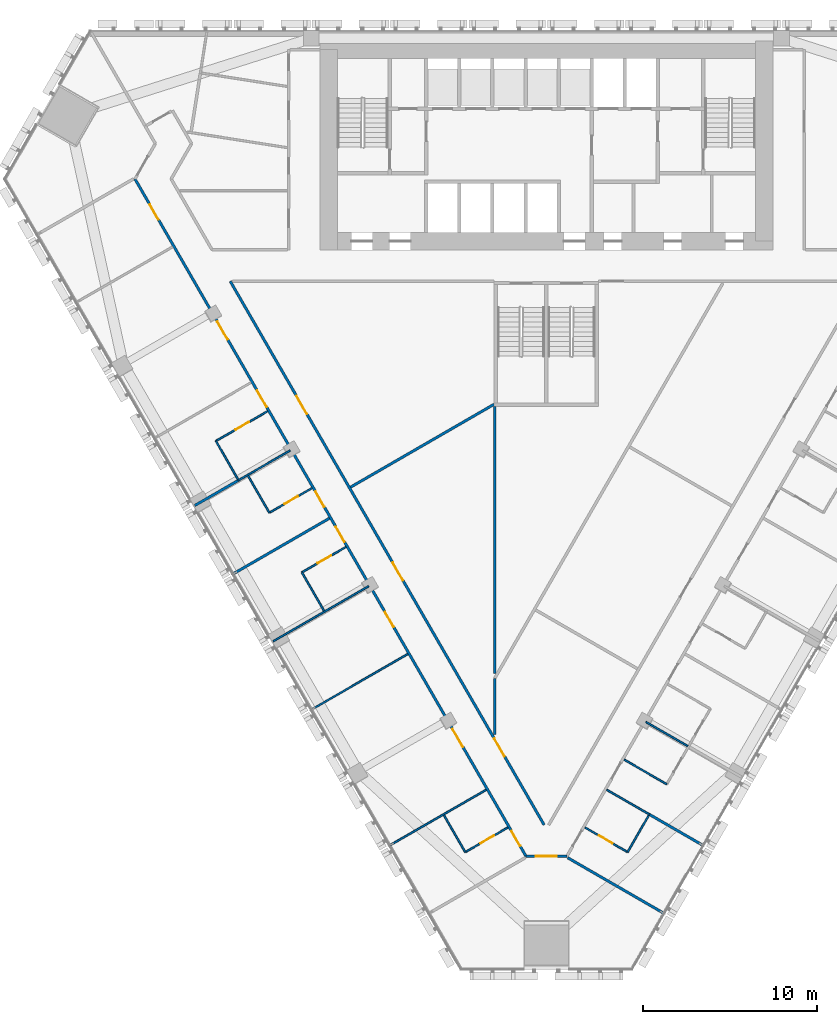
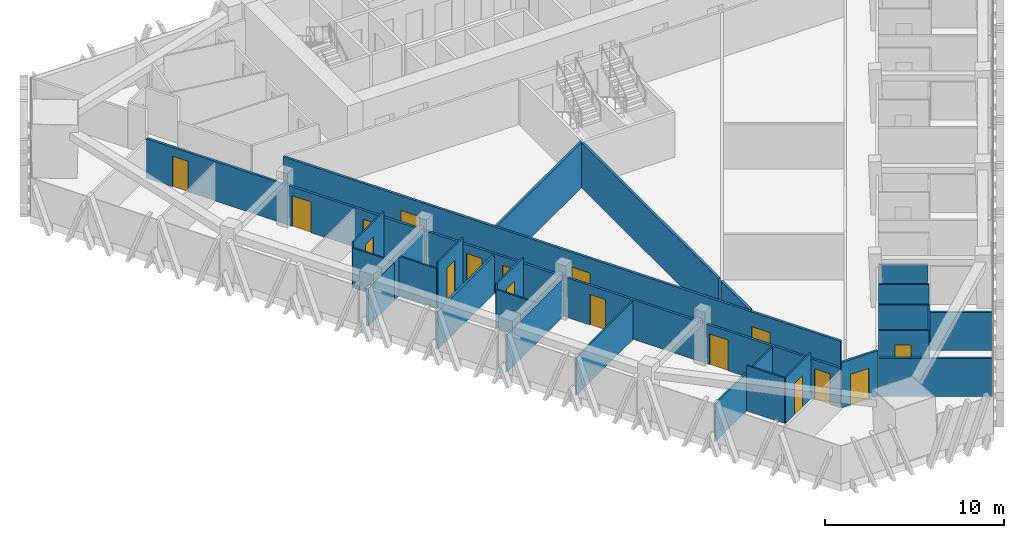
# One storey, part 10 of 18: 27 walls, 17 doors, 17 openings.
"""IFC4 building model written with IfcOpenShell, lengths in metres."""

from ifc_helpers import new_model, si_unit, direction, frame, frame_2d, origin, place, context, subcontext, project, spatial, rectangle, extrude, material, layer, layer_set, type_object, element, fill, save


model = new_model("IFC4")

# Units and contexts
model_context = context("Model", 3, precision=1e-05, world=origin(), true_north=direction((0.0, 1.0)))
body_context = subcontext(model_context, "Body", "Model", "MODEL_VIEW")
ifc_project = project(units=[si_unit("LENGTHUNIT", "METRE"), si_unit("AREAUNIT", "SQUARE_METRE"), si_unit("VOLUMEUNIT", "CUBIC_METRE"), si_unit("PLANEANGLEUNIT", "RADIAN"), si_unit("MASSUNIT", "GRAM", prefix="KILO")], contexts=[model_context])

# Site, building, storey
site_placement = place(None, origin())
site = spatial("IfcSite", under=ifc_project, at=site_placement, CompositionType="ELEMENT")
building_placement = place(site_placement, origin())
building = spatial("IfcBuilding", under=site, at=building_placement, Name="Altiplano Prism Tower", CompositionType="ELEMENT")
storey_placement = place(building_placement, frame((0.0, 0.0, 34.199951171875)))
storey = spatial("IfcBuildingStorey", under=building, at=storey_placement, Name="L07", CompositionType="ELEMENT", Elevation=34.199951171875)

# Wall
ifc_material_1 = material(Name="Plasterboard on steel stud", Category="steel")
ifc_layer_1 = layer(ifc_material_1, 0.10009765625)
ifc_layer_set_1 = layer_set([ifc_layer_1], Name="Plasterboard on steel stud")
wall_type_1 = type_object("IfcWallType", Name="Partition 100 unit", PredefinedType="PARTITIONING", material=ifc_layer_set_1)
wall_1_placement = place(storey_placement, frame((67.283935546875, 79.2392578125, 0.0), z_axis=(0.0, 0.0, 1.0), x_axis=(-0.50001820224, 0.866014894461, 0.0)))
element("IfcWall", 1, at=wall_1_placement, inside=storey, type_object=wall_type_1, Name="Partition P02 L07 038", PredefinedType="PARTITIONING", context=body_context, shape_type="SweptSolid", body=[
    extrude(rectangle(XDim=2.52490234375, YDim=0.10009765625, at=frame_2d((1.262451171875, 0.0))), origin(), (0.0, 0.0, 1.0), 2.699951171875),
])

# Wall, opening, door
wall_2_placement = place(storey_placement, frame((66.021484375, 81.42578125, 0.0), z_axis=(0.0, 0.0, 1.0), x_axis=(0.866001587311, 0.500041249073, 0.0)))
wall_2 = element("IfcWall", 2, at=wall_2_placement, inside=storey, type_object=wall_type_1, Name="Partition P02 L07 039", PredefinedType="PARTITIONING", context=body_context, shape_type="SweptSolid", body=[
    extrude(rectangle(XDim=3.425048828125, YDim=0.10009765625, at=frame_2d((1.71240234375, 0.0))), origin(), (0.0, 0.0, 1.0), 3.10009765625),
])
opening_1_placement = place(wall_2_placement, frame((1.300048828125, 0.0, 0.0)))
opening_1 = element("IfcOpeningElement", 3, at=opening_1_placement, cuts=wall_2, Name="Opening D0236", PredefinedType="OPENING", context=body_context, shape_type="SweptSolid", body=[
    extrude(rectangle(XDim=0.89990234375, YDim=2.10009765625, at=frame_2d((0.449951171875, 1.050048828125))), frame((0.0, 0.060546875, 0.0), z_axis=(0.0, -1.0, 0.0), x_axis=(1.0, 0.0, 0.0)), (0.0, 0.0, 1.0), 0.12109375),
])
ifc_material_2 = material(Name="Timber", Category="wood")
door_type_1 = type_object("IfcDoorType", Name="Accessible ensuite door 900 x 2100", OperationType="NOTDEFINED", PredefinedType="NOTDEFINED", material=ifc_material_2)
door_1_placement = place(opening_1_placement, origin())
door_1 = element("IfcDoor", 4, at=door_1_placement, inside=storey, type_object=door_type_1, Name="Door D0236", OperationType="SINGLE_SWING_LEFT", OverallHeight=2.10009765625, OverallWidth=0.89990234375, PredefinedType="NOTDEFINED", context=body_context, shape_type="SweptSolid", body=[
    extrude(rectangle(XDim=0.89990234375, YDim=2.10009765625, at=frame_2d((0.449951171875, 1.050048828125))), frame((0.0, 0.02490234375, 0.0), z_axis=(0.0, -1.0, 0.0), x_axis=(1.0, 0.0, 0.0)), (0.0, 0.0, 1.0), 0.050048828125),
])
fill(opening_1, door_1)

wall_3_placement = place(storey_placement, frame((71.53759765625, 78.7216796875, 0.0), z_axis=(0.0, 0.0, 1.0), x_axis=(-0.866011447264, -0.500024172624, 0.0)))
wall_3 = element("IfcWall", 5, at=wall_3_placement, inside=storey, type_object=wall_type_1, Name="Partition P02 L07 042", PredefinedType="PARTITIONING", context=body_context, shape_type="SweptSolid", body=[
    extrude(rectangle(XDim=2.824951171875, YDim=0.10009765625, at=frame_2d((1.41259765625, 0.0))), origin(), (0.0, 0.0, 1.0), 3.10009765625),
])
opening_2_placement = place(wall_3_placement, frame((0.925048828125, 0.0, 0.0)))
opening_2 = element("IfcOpeningElement", 6, at=opening_2_placement, cuts=wall_3, Name="Opening D0238", PredefinedType="OPENING", context=body_context, shape_type="SweptSolid", body=[
    extrude(rectangle(XDim=0.89990234375, YDim=2.10009765625, at=frame_2d((0.449951171875, 1.050048828125))), frame((0.0, 0.060546875, 0.0), z_axis=(0.0, -1.0, 0.0), x_axis=(1.0, 0.0, 0.0)), (0.0, 0.0, 1.0), 0.12109375),
])
door_type_2 = type_object("IfcDoorType", Name="Ensuite door 900 x 2100", OperationType="NOTDEFINED", PredefinedType="NOTDEFINED", material=ifc_material_2)
door_2_placement = place(opening_2_placement, origin())
door_2 = element("IfcDoor", 7, at=door_2_placement, inside=storey, type_object=door_type_2, Name="Door D0238", OperationType="SINGLE_SWING_LEFT", OverallHeight=2.10009765625, OverallWidth=0.89990234375, PredefinedType="NOTDEFINED", context=body_context, shape_type="SweptSolid", body=[
    extrude(rectangle(XDim=0.89990234375, YDim=2.10009765625, at=frame_2d((0.449951171875, 1.050048828125))), frame((0.0, 0.02490234375, 0.0), z_axis=(0.0, -1.0, 0.0), x_axis=(1.0, 0.0, 0.0)), (0.0, 0.0, 1.0), 0.050048828125),
])
fill(opening_2, door_2)

# Walls
wall_4_placement = place(storey_placement, frame((69.091064453125, 77.30908203125, 0.0), z_axis=(0.0, 0.0, 1.0), x_axis=(-0.499943856944, 0.866057815567, 0.0)))
element("IfcWall", 8, at=wall_4_placement, inside=storey, type_object=wall_type_1, Name="Partition P02 L07 043", PredefinedType="PARTITIONING", context=body_context, shape_type="SweptSolid", body=[
    extrude(rectangle(XDim=2.449951171875, YDim=0.10009765625, at=frame_2d((1.22509765625, 0.0))), origin(), (0.0, 0.0, 1.0), 2.699951171875),
])
wall_5_placement = place(storey_placement, frame((72.2294921875, 71.67333984375, 0.0), z_axis=(0.0, 0.0, 1.0), x_axis=(-0.499990435942, 0.866030925526, 0.0)))
element("IfcWall", 9, at=wall_5_placement, inside=storey, type_object=wall_type_1, Name="Partition P02 L07 045", PredefinedType="PARTITIONING", context=body_context, shape_type="SweptSolid", body=[
    extrude(rectangle(XDim=2.5498046875, YDim=0.10009765625, at=frame_2d((1.27490234375, 0.0))), origin(), (0.0, 0.0, 1.0), 2.699951171875),
])

# Wall, opening, door
wall_6_placement = place(storey_placement, frame((70.95458984375, 73.881591796875, 0.0), z_axis=(0.0, 0.0, 1.0), x_axis=(0.865989585315, 0.500062034277, 0.0)))
wall_6 = element("IfcWall", 10, at=wall_6_placement, inside=storey, type_object=wall_type_1, Name="Partition P02 L07 046", PredefinedType="PARTITIONING", context=body_context, shape_type="SweptSolid", body=[
    extrude(rectangle(XDim=2.925048828125, YDim=0.10009765625, at=frame_2d((1.46240234375, 0.0))), origin(), (0.0, 0.0, 1.0), 3.10009765625),
])
opening_3_placement = place(wall_6_placement, frame((1.050048828125, 0.0, 0.0)))
opening_3 = element("IfcOpeningElement", 11, at=opening_3_placement, cuts=wall_6, Name="Opening D0240", PredefinedType="OPENING", context=body_context, shape_type="SweptSolid", body=[
    extrude(rectangle(XDim=0.89990234375, YDim=2.10009765625, at=frame_2d((0.449951171875, 1.050048828125))), frame((0.0, 0.060546875, 0.0), z_axis=(0.0, -1.0, 0.0), x_axis=(1.0, 0.0, 0.0)), (0.0, 0.0, 1.0), 0.12109375),
])
door_3_placement = place(opening_3_placement, origin())
door_3 = element("IfcDoor", 12, at=door_3_placement, inside=storey, type_object=door_type_2, Name="Door D0240", OperationType="SINGLE_SWING_RIGHT", OverallHeight=2.10009765625, OverallWidth=0.89990234375, PredefinedType="NOTDEFINED", context=body_context, shape_type="SweptSolid", body=[
    extrude(rectangle(XDim=0.89990234375, YDim=2.10009765625, at=frame_2d((0.449951171875, 1.050048828125))), frame((0.0, 0.02490234375, 0.0), z_axis=(0.0, -1.0, 0.0), x_axis=(1.0, 0.0, 0.0)), (0.0, 0.0, 1.0), 0.050048828125),
])
fill(opening_3, door_3)

wall_7_placement = place(storey_placement, frame((82.78759765625, 59.236083984375, 0.0), z_axis=(0.0, 0.0, 1.0), x_axis=(-0.866011447264, -0.500024172624, 0.0)))
wall_7 = element("IfcWall", 13, at=wall_7_placement, inside=storey, type_object=wall_type_1, Name="Partition P02 L07 050", PredefinedType="PARTITIONING", context=body_context, shape_type="SweptSolid", body=[
    extrude(rectangle(XDim=2.824951171875, YDim=0.10009765625, at=frame_2d((1.41259765625, 0.0))), origin(), (0.0, 0.0, 1.0), 3.10009765625),
])
opening_4_placement = place(wall_7_placement, frame((0.925048828125, 0.0, 0.0)))
opening_4 = element("IfcOpeningElement", 14, at=opening_4_placement, cuts=wall_7, Name="Opening D0244", PredefinedType="OPENING", context=body_context, shape_type="SweptSolid", body=[
    extrude(rectangle(XDim=0.89990234375, YDim=2.10009765625, at=frame_2d((0.449951171875, 1.050048828125))), frame((0.0, 0.060546875, 0.0), z_axis=(0.0, -1.0, 0.0), x_axis=(1.0, 0.0, 0.0)), (0.0, 0.0, 1.0), 0.12109375),
])
door_4_placement = place(opening_4_placement, origin())
door_4 = element("IfcDoor", 15, at=door_4_placement, inside=storey, type_object=door_type_2, Name="Door D0244", OperationType="SINGLE_SWING_RIGHT", OverallHeight=2.10009765625, OverallWidth=0.89990234375, PredefinedType="NOTDEFINED", context=body_context, shape_type="SweptSolid", body=[
    extrude(rectangle(XDim=0.89990234375, YDim=2.10009765625, at=frame_2d((0.449951171875, 1.050048828125))), frame((0.0, 0.02490234375, 0.0), z_axis=(0.0, -1.0, 0.0), x_axis=(1.0, 0.0, 0.0)), (0.0, 0.0, 1.0), 0.050048828125),
])
fill(opening_4, door_4)

# Walls
wall_8_placement = place(storey_placement, frame((80.341064453125, 57.823486328125, 0.0), z_axis=(0.0, 0.0, 1.0), x_axis=(-0.499943856944, 0.866057815567, 0.0)))
element("IfcWall", 16, at=wall_8_placement, inside=storey, type_object=wall_type_1, Name="Partition P02 L07 051", PredefinedType="PARTITIONING", context=body_context, shape_type="SweptSolid", body=[
    extrude(rectangle(XDim=2.449951171875, YDim=0.10009765625, at=frame_2d((1.22509765625, 0.0))), origin(), (0.0, 0.0, 1.0), 3.10009765625),
])
wall_9_placement = place(storey_placement, frame((90.871337890625, 59.923583984375, 0.0), z_axis=(0.0, 0.0, 1.0), x_axis=(-0.499972286653, -0.866041403502, 0.0)))
element("IfcWall", 17, at=wall_9_placement, inside=storey, type_object=wall_type_1, Name="Partition P02 L07 054", PredefinedType="PARTITIONING", context=body_context, shape_type="SweptSolid", body=[
    extrude(rectangle(XDim=2.425048828125, YDim=0.10009765625, at=frame_2d((1.21240234375, 0.0))), origin(), (0.0, 0.0, 1.0), 3.10009765625),
])

# Wall, opening, door
wall_10_placement = place(storey_placement, frame((89.658935546875, 57.823486328125, 0.0), z_axis=(0.0, 0.0, 1.0), x_axis=(-0.866011447264, 0.500024172624, 0.0)))
wall_10 = element("IfcWall", 18, at=wall_10_placement, inside=storey, type_object=wall_type_1, Name="Partition P02 L07 055", PredefinedType="PARTITIONING", context=body_context, shape_type="SweptSolid", body=[
    extrude(rectangle(XDim=2.824951171875, YDim=0.10009765625, at=frame_2d((1.41259765625, 0.0))), origin(), (0.0, 0.0, 1.0), 3.10009765625),
])
opening_5_placement = place(wall_10_placement, frame((1.0, 0.0, 0.0)))
opening_5 = element("IfcOpeningElement", 19, at=opening_5_placement, cuts=wall_10, Name="Opening D0247", PredefinedType="OPENING", context=body_context, shape_type="SweptSolid", body=[
    extrude(rectangle(XDim=0.89990234375, YDim=2.10009765625, at=frame_2d((0.449951171875, 1.050048828125))), frame((0.0, 0.060546875, 0.0), z_axis=(0.0, -1.0, 0.0), x_axis=(1.0, 0.0, 0.0)), (0.0, 0.0, 1.0), 0.12109375),
])
door_5_placement = place(opening_5_placement, origin())
door_5 = element("IfcDoor", 20, at=door_5_placement, inside=storey, type_object=door_type_2, Name="Door D0247", OperationType="SINGLE_SWING_RIGHT", OverallHeight=2.10009765625, OverallWidth=0.89990234375, PredefinedType="NOTDEFINED", context=body_context, shape_type="SweptSolid", body=[
    extrude(rectangle(XDim=0.89990234375, YDim=2.10009765625, at=frame_2d((0.449951171875, 1.050048828125))), frame((0.0, 0.02490234375, 0.0), z_axis=(0.0, -1.0, 0.0), x_axis=(1.0, 0.0, 0.0)), (0.0, 0.0, 1.0), 0.050048828125),
])
fill(opening_5, door_5)

# Walls
wall_11_placement = place(storey_placement, frame((91.908935546875, 61.720703125, 0.0), z_axis=(0.0, 0.0, 1.0), x_axis=(-0.866011447264, 0.500024172624, 0.0)))
element("IfcWall", 21, at=wall_11_placement, inside=storey, type_object=wall_type_1, Name="Partition P02 L07 058", PredefinedType="PARTITIONING", context=body_context, shape_type="SweptSolid", body=[
    extrude(rectangle(XDim=2.824951171875, YDim=0.10009765625, at=frame_2d((1.41259765625, 0.0))), origin(), (0.0, 0.0, 1.0), 3.10009765625),
])
ifc_layer_2 = layer(ifc_material_1, 0.10009765625)
ifc_layer_set_2 = layer_set([ifc_layer_2], Name="Plasterboard on steel stud")
wall_type_2 = type_object("IfcWallType", Name="Partition 100 wet", PredefinedType="PARTITIONING", material=ifc_layer_set_2)
wall_12_placement = place(storey_placement, frame((67.30419921875, 79.164306640625, 0.0), z_axis=(0.0, 0.0, 1.0), x_axis=(0.866032163869, 0.499988291006, 0.0)))
element("IfcWall", 22, at=wall_12_placement, inside=storey, type_object=wall_type_2, Name="Partition P03 L07 041", PredefinedType="PARTITIONING", context=body_context, shape_type="SweptSolid", body=[
    extrude(rectangle(XDim=3.44482421875, YDim=0.10009765625, at=frame_2d((1.722412109375, 0.0))), origin(), (0.0, 0.0, 1.0), 2.699951171875),
])
wall_13_placement = place(storey_placement, frame((69.31005859375, 69.929931640625, 0.0), z_axis=(0.0, 0.0, 1.0), x_axis=(0.866015887322, 0.500016482634, 0.0)))
element("IfcWall", 23, at=wall_13_placement, inside=storey, type_object=wall_type_2, Name="Partition P03 L07 047", PredefinedType="PARTITIONING", context=body_context, shape_type="SweptSolid", body=[
    extrude(rectangle(XDim=6.324951171875, YDim=0.10009765625, at=frame_2d((3.16259765625, 0.0))), origin(), (0.0, 0.0, 1.0), 2.60009765625),
])
for number, where, z_axis, x_axis, name in (
    (24, (71.54248046875, 66.022705078125, 0.0), (0.0, 0.0, 1.0), (0.866025401434, 0.500000004071, 0.0), "Partition P03 L07 048"),
    (25, (76.04248046875, 58.228515625, 0.0), (0.0, 0.0, 1.0), (0.866025401434, 0.500000004071, 0.0), "Partition P03 L07 049"),
):
    element("IfcWall", number, at=place(storey_placement, frame(where, z_axis=z_axis, x_axis=x_axis)), inside=storey, type_object=wall_type_2, Name=name, PredefinedType="PARTITIONING", context=body_context, shape_type="SweptSolid", body=[
        extrude(rectangle(XDim=6.34521484375, YDim=0.10009765625, at=frame_2d((3.172607421875, 0.0))), origin(), (0.0, 0.0, 1.0), 2.60009765625),
    ])
wall_14_placement = place(storey_placement, frame((90.92626953125, 59.978515625, 0.0), z_axis=(0.0, 0.0, 1.0), x_axis=(-0.866011243319, 0.500024525844, 0.0)))
element("IfcWall", 26, at=wall_14_placement, inside=storey, type_object=wall_type_2, Name="Partition P03 L07 057", PredefinedType="PARTITIONING", context=body_context, shape_type="SweptSolid", body=[
    extrude(rectangle(XDim=2.844970703125, YDim=0.10009765625, at=frame_2d((1.42236328125, 0.0))), origin(), (0.0, 0.0, 1.0), 3.10009765625),
])
wall_15_placement = place(storey_placement, frame((93.115478515625, 63.91064453125, 0.0), z_axis=(0.0, 0.0, 1.0), x_axis=(-0.865981921271, 0.50007530636, 0.0)))
element("IfcWall", 27, at=wall_15_placement, inside=storey, type_object=wall_type_2, Name="Partition P03 L07 060", PredefinedType="PARTITIONING", context=body_context, shape_type="SweptSolid", body=[
    extrude(rectangle(XDim=2.77490234375, YDim=0.10009765625, at=frame_2d((1.387451171875, 0.0))), origin(), (0.0, 0.0, 1.0), 2.699951171875),
])

# Wall, openings, doors
ifc_layer_3 = layer(ifc_material_1, 0.14990234375)
ifc_layer_set_3 = layer_set([ifc_layer_3], Name="Plasterboard on steel stud")
wall_type_3 = type_object("IfcWallType", Name="Partition 150 corridor", PredefinedType="PARTITIONING", material=ifc_layer_set_3)
wall_16_placement = place(storey_placement, frame((61.37548828125, 96.47314453125, 0.0), z_axis=(0.0, 0.0, 1.0), x_axis=(0.499999785607, -0.866025527565, 0.0)))
wall_16 = element("IfcWall", 28, at=wall_16_placement, inside=storey, type_object=wall_type_3, Name="Partition P06 L07 010", PredefinedType="PARTITIONING", context=body_context, shape_type="SweptSolid", body=[
    extrude(rectangle(XDim=44.90869140625, YDim=0.14990234375, at=frame_2d((22.454345703125, 0.0))), origin(), (0.0, 0.0, 1.0), 2.699951171875),
])
opening_6_placement = place(wall_16_placement, frame((1.7041015625, 0.0, 0.0)))
opening_6 = element("IfcOpeningElement", 29, at=opening_6_placement, cuts=wall_16, Name="Opening D0233", PredefinedType="OPENING", context=body_context, shape_type="SweptSolid", body=[
    extrude(rectangle(XDim=1.0, YDim=2.10009765625, at=frame_2d((0.5, 1.050048828125))), frame((0.0, 0.08544921875, 0.0), z_axis=(0.0, -1.0, 0.0), x_axis=(1.0, 0.0, 0.0)), (0.0, 0.0, 1.0), 0.1708984375),
])
opening_7_placement = place(wall_16_placement, frame((9.4541015625, 0.0, 0.0)))
opening_7 = element("IfcOpeningElement", 30, at=opening_7_placement, cuts=wall_16, Name="Opening D0234", PredefinedType="OPENING", context=body_context, shape_type="SweptSolid", body=[
    extrude(rectangle(XDim=1.199951171875, YDim=2.10009765625, at=frame_2d((0.60009765625, 1.050048828125))), frame((0.0, 0.08544921875, 0.0), z_axis=(0.0, -1.0, 0.0), x_axis=(1.0, 0.0, 0.0)), (0.0, 0.0, 1.0), 0.1708984375),
])
opening_8_placement = place(wall_16_placement, frame((14.02490234375, 0.0, 0.0)))
opening_8 = element("IfcOpeningElement", 31, at=opening_8_placement, cuts=wall_16, Name="Opening D0235", PredefinedType="OPENING", context=body_context, shape_type="SweptSolid", body=[
    extrude(rectangle(XDim=1.10009765625, YDim=2.10009765625, at=frame_2d((0.550048828125, 1.050048828125))), frame((0.0, 0.08544921875, 0.0), z_axis=(0.0, -1.0, 0.0), x_axis=(1.0, 0.0, 0.0)), (0.0, 0.0, 1.0), 0.1708984375),
])
opening_9_placement = place(wall_16_placement, frame((20.73388671875, 0.0, 0.0)))
opening_9 = element("IfcOpeningElement", 32, at=opening_9_placement, cuts=wall_16, Name="Opening D0237", PredefinedType="OPENING", context=body_context, shape_type="SweptSolid", body=[
    extrude(rectangle(XDim=1.0, YDim=2.10009765625, at=frame_2d((0.5, 1.050048828125))), frame((0.0, 0.08544921875, 0.0), z_axis=(0.0, -1.0, 0.0), x_axis=(1.0, 0.0, 0.0)), (0.0, 0.0, 1.0), 0.1708984375),
])
opening_10_placement = place(wall_16_placement, frame((23.05908203125, 0.0, 0.0)))
opening_10 = element("IfcOpeningElement", 33, at=opening_10_placement, cuts=wall_16, Name="Opening D0239", PredefinedType="OPENING", context=body_context, shape_type="SweptSolid", body=[
    extrude(rectangle(XDim=1.0, YDim=2.10009765625, at=frame_2d((0.5, 1.050048828125))), frame((0.0, 0.08544921875, 0.0), z_axis=(0.0, -1.0, 0.0), x_axis=(1.0, 0.0, 0.0)), (0.0, 0.0, 1.0), 0.1708984375),
])
opening_11_placement = place(wall_16_placement, frame((28.7041015625, 0.0, 0.0)))
opening_11 = element("IfcOpeningElement", 34, at=opening_11_placement, cuts=wall_16, Name="Opening D0241", PredefinedType="OPENING", context=body_context, shape_type="SweptSolid", body=[
    extrude(rectangle(XDim=1.0, YDim=2.10009765625, at=frame_2d((0.5, 1.050048828125))), frame((0.0, 0.08544921875, 0.0), z_axis=(0.0, -1.0, 0.0), x_axis=(1.0, 0.0, 0.0)), (0.0, 0.0, 1.0), 0.1708984375),
])
opening_12_placement = place(wall_16_placement, frame((36.4541015625, 0.0, 0.0)))
opening_12 = element("IfcOpeningElement", 35, at=opening_12_placement, cuts=wall_16, Name="Opening D0242", PredefinedType="OPENING", context=body_context, shape_type="SweptSolid", body=[
    extrude(rectangle(XDim=1.199951171875, YDim=2.10009765625, at=frame_2d((0.60009765625, 1.050048828125))), frame((0.0, 0.08544921875, 0.0), z_axis=(0.0, -1.0, 0.0), x_axis=(1.0, 0.0, 0.0)), (0.0, 0.0, 1.0), 0.1708984375),
])
opening_13_placement = place(wall_16_placement, frame((43.23388671875, 0.0, 0.0)))
opening_13 = element("IfcOpeningElement", 36, at=opening_13_placement, cuts=wall_16, Name="Opening D0243", PredefinedType="OPENING", context=body_context, shape_type="SweptSolid", body=[
    extrude(rectangle(XDim=1.0, YDim=2.10009765625, at=frame_2d((0.5, 1.050048828125))), frame((0.0, 0.08544921875, 0.0), z_axis=(0.0, -1.0, 0.0), x_axis=(1.0, 0.0, 0.0)), (0.0, 0.0, 1.0), 0.1708984375),
])
door_type_3 = type_object("IfcDoorType", Name="Accessible bedroom door 1100 x 2100", OperationType="NOTDEFINED", PredefinedType="NOTDEFINED", material=ifc_material_2)
door_6_placement = place(opening_8_placement, origin())
door_6 = element("IfcDoor", 37, at=door_6_placement, inside=storey, type_object=door_type_3, Name="Door D0235", OperationType="SINGLE_SWING_LEFT", OverallHeight=2.10009765625, OverallWidth=1.10009765625, PredefinedType="NOTDEFINED", context=body_context, shape_type="SweptSolid", body=[
    extrude(rectangle(XDim=1.10009765625, YDim=2.10009765625, at=frame_2d((0.550048828125, 1.050048828125))), frame((0.0, 0.02490234375, 0.0), z_axis=(0.0, -1.0, 0.0), x_axis=(1.0, 0.0, 0.0)), (0.0, 0.0, 1.0), 0.050048828125),
])
fill(opening_8, door_6)
door_type_4 = type_object("IfcDoorType", Name="Bedroom entrance door 1000 x 2100", OperationType="NOTDEFINED", PredefinedType="NOTDEFINED", material=ifc_material_2)
door_7_placement = place(opening_9_placement, origin())
door_7 = element("IfcDoor", 38, at=door_7_placement, inside=storey, type_object=door_type_4, Name="Door D0237", OperationType="SINGLE_SWING_LEFT", OverallHeight=2.10009765625, OverallWidth=1.0, PredefinedType="NOTDEFINED", context=body_context, shape_type="SweptSolid", body=[
    extrude(rectangle(XDim=1.0, YDim=2.10009765625, at=frame_2d((0.5, 1.050048828125))), frame((0.0, 0.02490234375, 0.0), z_axis=(0.0, -1.0, 0.0), x_axis=(1.0, 0.0, 0.0)), (0.0, 0.0, 1.0), 0.050048828125),
])
fill(opening_9, door_7)
door_8_placement = place(opening_10_placement, origin())
door_8 = element("IfcDoor", 39, at=door_8_placement, inside=storey, type_object=door_type_4, Name="Door D0239", OperationType="SINGLE_SWING_LEFT", OverallHeight=2.10009765625, OverallWidth=1.0, PredefinedType="NOTDEFINED", context=body_context, shape_type="SweptSolid", body=[
    extrude(rectangle(XDim=1.0, YDim=2.10009765625, at=frame_2d((0.5, 1.050048828125))), frame((0.0, 0.02490234375, 0.0), z_axis=(0.0, -1.0, 0.0), x_axis=(1.0, 0.0, 0.0)), (0.0, 0.0, 1.0), 0.050048828125),
])
fill(opening_10, door_8)
door_9_placement = place(opening_13_placement, origin())
door_9 = element("IfcDoor", 40, at=door_9_placement, inside=storey, type_object=door_type_4, Name="Door D0243", OperationType="SINGLE_SWING_RIGHT", OverallHeight=2.10009765625, OverallWidth=1.0, PredefinedType="NOTDEFINED", context=body_context, shape_type="SweptSolid", body=[
    extrude(rectangle(XDim=1.0, YDim=2.10009765625, at=frame_2d((0.5, 1.050048828125))), frame((0.0, 0.02490234375, 0.0), z_axis=(0.0, -1.0, 0.0), x_axis=(1.0, 0.0, 0.0)), (0.0, 0.0, 1.0), 0.050048828125),
])
fill(opening_13, door_9)
door_type_5 = type_object("IfcDoorType", Name="Room door 1000 x 2100", OperationType="NOTDEFINED", PredefinedType="NOTDEFINED", material=ifc_material_2)
door_10_placement = place(opening_6_placement, origin())
door_10 = element("IfcDoor", 41, at=door_10_placement, inside=storey, type_object=door_type_5, Name="Door D0233", OperationType="SINGLE_SWING_LEFT", OverallHeight=2.10009765625, OverallWidth=1.0, PredefinedType="NOTDEFINED", context=body_context, shape_type="SweptSolid", body=[
    extrude(rectangle(XDim=1.0, YDim=2.10009765625, at=frame_2d((0.5, 1.050048828125))), frame((0.0, 0.02490234375, 0.0), z_axis=(0.0, -1.0, 0.0), x_axis=(1.0, 0.0, 0.0)), (0.0, 0.0, 1.0), 0.050048828125),
])
fill(opening_6, door_10)
door_11_placement = place(opening_11_placement, origin())
door_11 = element("IfcDoor", 42, at=door_11_placement, inside=storey, type_object=door_type_5, Name="Door D0241", OperationType="SINGLE_SWING_LEFT", OverallHeight=2.10009765625, OverallWidth=1.0, PredefinedType="NOTDEFINED", context=body_context, shape_type="SweptSolid", body=[
    extrude(rectangle(XDim=1.0, YDim=2.10009765625, at=frame_2d((0.5, 1.050048828125))), frame((0.0, 0.02490234375, 0.0), z_axis=(0.0, -1.0, 0.0), x_axis=(1.0, 0.0, 0.0)), (0.0, 0.0, 1.0), 0.050048828125),
])
fill(opening_11, door_11)
door_type_6 = type_object("IfcDoorType", Name="Shared room door 1200 x 2100", OperationType="NOTDEFINED", PredefinedType="NOTDEFINED", material=ifc_material_2)
door_12_placement = place(opening_7_placement, origin())
door_12 = element("IfcDoor", 43, at=door_12_placement, inside=storey, type_object=door_type_6, Name="Door D0234", OperationType="SINGLE_SWING_LEFT", OverallHeight=2.10009765625, OverallWidth=1.199951171875, PredefinedType="NOTDEFINED", context=body_context, shape_type="SweptSolid", body=[
    extrude(rectangle(XDim=1.199951171875, YDim=2.10009765625, at=frame_2d((0.60009765625, 1.050048828125))), frame((0.0, 0.02490234375, 0.0), z_axis=(0.0, -1.0, 0.0), x_axis=(1.0, 0.0, 0.0)), (0.0, 0.0, 1.0), 0.050048828125),
])
fill(opening_7, door_12)
door_13_placement = place(opening_12_placement, origin())
door_13 = element("IfcDoor", 44, at=door_13_placement, inside=storey, type_object=door_type_6, Name="Door D0242", OperationType="SINGLE_SWING_LEFT", OverallHeight=2.10009765625, OverallWidth=1.199951171875, PredefinedType="NOTDEFINED", context=body_context, shape_type="SweptSolid", body=[
    extrude(rectangle(XDim=1.199951171875, YDim=2.10009765625, at=frame_2d((0.60009765625, 1.050048828125))), frame((0.0, 0.02490234375, 0.0), z_axis=(0.0, -1.0, 0.0), x_axis=(1.0, 0.0, 0.0)), (0.0, 0.0, 1.0), 0.050048828125),
])
fill(opening_12, door_13)

# Wall, opening, door
wall_17_placement = place(storey_placement, frame((83.829833984375, 57.5810546875, 0.0), z_axis=(0.0, 0.0, 1.0), x_axis=(1.0, 0.0, 0.0)))
wall_17 = element("IfcWall", 45, at=wall_17_placement, inside=storey, type_object=wall_type_3, Name="Partition P06 L07 011", PredefinedType="PARTITIONING", context=body_context, shape_type="SweptSolid", body=[
    extrude(rectangle(XDim=2.34033203125, YDim=0.14990234375, at=frame_2d((1.170166015625, 0.0))), origin(), (0.0, 0.0, 1.0), 3.10009765625),
])
opening_14_placement = place(wall_17_placement, frame((0.570068359375, 0.0, 0.0)))
opening_14 = element("IfcOpeningElement", 46, at=opening_14_placement, cuts=wall_17, Name="Opening D0245", PredefinedType="OPENING", context=body_context, shape_type="SweptSolid", body=[
    extrude(rectangle(XDim=1.199951171875, YDim=2.10009765625, at=frame_2d((0.60009765625, 1.050048828125))), frame((0.0, 0.08544921875, 0.0), z_axis=(0.0, -1.0, 0.0), x_axis=(1.0, 0.0, 0.0)), (0.0, 0.0, 1.0), 0.1708984375),
])
door_14_placement = place(opening_14_placement, origin())
door_14 = element("IfcDoor", 47, at=door_14_placement, inside=storey, type_object=door_type_6, Name="Door D0245", OperationType="SINGLE_SWING_LEFT", OverallHeight=2.10009765625, OverallWidth=1.199951171875, PredefinedType="NOTDEFINED", context=body_context, shape_type="SweptSolid", body=[
    extrude(rectangle(XDim=1.199951171875, YDim=2.10009765625, at=frame_2d((0.60009765625, 1.050048828125))), frame((0.0, 0.02490234375, 0.0), z_axis=(0.0, -1.0, 0.0), x_axis=(1.0, 0.0, 0.0)), (0.0, 0.0, 1.0), 0.050048828125),
])
fill(opening_14, door_14)

# Wall, openings, doors
wall_18_placement = place(storey_placement, frame((84.868896484375, 59.381103515625, 0.0), z_axis=(0.0, 0.0, 1.0), x_axis=(-0.499997404558, 0.866026902258, 0.0)))
wall_18 = element("IfcWall", 48, at=wall_18_placement, inside=storey, type_object=wall_type_3, Name="Partition P06 L07 025", PredefinedType="PARTITIONING", context=body_context, shape_type="SweptSolid", body=[
    extrude(rectangle(XDim=36.048583984375, YDim=0.14990234375, at=frame_2d((18.0244140625, 0.0))), origin(), (0.0, 0.0, 1.0), 3.10009765625),
])
opening_15_placement = place(wall_18_placement, frame((27.235107421875, 0.0, 0.0)))
opening_15 = element("IfcOpeningElement", 49, at=opening_15_placement, cuts=wall_18, Name="Opening D0266", PredefinedType="OPENING", context=body_context, shape_type="SweptSolid", body=[
    extrude(rectangle(XDim=1.199951171875, YDim=2.10009765625, at=frame_2d((0.60009765625, 1.050048828125))), frame((0.0, 0.08544921875, 0.0), z_axis=(0.0, -1.0, 0.0), x_axis=(1.0, 0.0, 0.0)), (0.0, 0.0, 1.0), 0.1708984375),
])
opening_16_placement = place(wall_18_placement, frame((16.198974609375, 0.0, 0.0)))
opening_16 = element("IfcOpeningElement", 50, at=opening_16_placement, cuts=wall_18, Name="Opening D0270", PredefinedType="OPENING", context=body_context, shape_type="SweptSolid", body=[
    extrude(rectangle(XDim=1.199951171875, YDim=2.10009765625, at=frame_2d((0.60009765625, 1.050048828125))), frame((0.0, 0.08544921875, 0.0), z_axis=(0.0, -1.0, 0.0), x_axis=(1.0, 0.0, 0.0)), (0.0, 0.0, 1.0), 0.1708984375),
])
opening_17_placement = place(wall_18_placement, frame((4.5458984375, 0.0, 0.0)))
opening_17 = element("IfcOpeningElement", 51, at=opening_17_placement, cuts=wall_18, Name="Opening D0272", PredefinedType="OPENING", context=body_context, shape_type="SweptSolid", body=[
    extrude(rectangle(XDim=1.199951171875, YDim=2.10009765625, at=frame_2d((0.60009765625, 1.050048828125))), frame((0.0, 0.08544921875, 0.0), z_axis=(0.0, -1.0, 0.0), x_axis=(1.0, 0.0, 0.0)), (0.0, 0.0, 1.0), 0.1708984375),
])
door_15_placement = place(opening_15_placement, origin())
door_15 = element("IfcDoor", 52, at=door_15_placement, inside=storey, type_object=door_type_6, Name="Door D0266", OperationType="SINGLE_SWING_RIGHT", OverallHeight=2.10009765625, OverallWidth=1.199951171875, PredefinedType="NOTDEFINED", context=body_context, shape_type="SweptSolid", body=[
    extrude(rectangle(XDim=1.199951171875, YDim=2.10009765625, at=frame_2d((0.60009765625, 1.050048828125))), frame((0.0, 0.02490234375, 0.0), z_axis=(0.0, -1.0, 0.0), x_axis=(1.0, 0.0, 0.0)), (0.0, 0.0, 1.0), 0.050048828125),
])
fill(opening_15, door_15)
door_16_placement = place(opening_16_placement, origin())
door_16 = element("IfcDoor", 53, at=door_16_placement, inside=storey, type_object=door_type_6, Name="Door D0270", OperationType="SINGLE_SWING_LEFT", OverallHeight=2.10009765625, OverallWidth=1.199951171875, PredefinedType="NOTDEFINED", context=body_context, shape_type="SweptSolid", body=[
    extrude(rectangle(XDim=1.199951171875, YDim=2.10009765625, at=frame_2d((0.60009765625, 1.050048828125))), frame((0.0, 0.02490234375, 0.0), z_axis=(0.0, -1.0, 0.0), x_axis=(1.0, 0.0, 0.0)), (0.0, 0.0, 1.0), 0.050048828125),
])
fill(opening_16, door_16)
door_17_placement = place(opening_17_placement, origin())
door_17 = element("IfcDoor", 54, at=door_17_placement, inside=storey, type_object=door_type_6, Name="Door D0272", OperationType="SINGLE_SWING_LEFT", OverallHeight=2.10009765625, OverallWidth=1.199951171875, PredefinedType="NOTDEFINED", context=body_context, shape_type="SweptSolid", body=[
    extrude(rectangle(XDim=1.199951171875, YDim=2.10009765625, at=frame_2d((0.60009765625, 1.050048828125))), frame((0.0, 0.02490234375, 0.0), z_axis=(0.0, -1.0, 0.0), x_axis=(1.0, 0.0, 0.0)), (0.0, 0.0, 1.0), 0.050048828125),
])
fill(opening_17, door_17)

# Walls
ifc_layer_4 = layer(ifc_material_1, 0.14990234375)
ifc_layer_set_4 = layer_set([ifc_layer_4], Name="Plasterboard on steel stud")
wall_type_4 = type_object("IfcWallType", Name="Partition 150 party", PredefinedType="PARTITIONING", material=ifc_layer_set_4)
wall_19_placement = place(storey_placement, frame((64.81005859375, 77.72412109375, 0.0), z_axis=(0.0, 0.0, 1.0), x_axis=(0.865996226145, 0.500050533749, 0.0)))
element("IfcWall", 55, at=wall_19_placement, inside=storey, type_object=wall_type_4, Name="Partition P01 L07 040", PredefinedType="PARTITIONING", context=body_context, shape_type="SweptSolid", body=[
    extrude(rectangle(XDim=2.920166015625, YDim=0.14990234375, at=frame_2d((1.4599609375, 0.0))), origin(), (0.0, 0.0, 1.0), 2.60009765625),
])
wall_20_placement = place(storey_placement, frame((67.04248046875, 73.81689453125, 0.0), z_axis=(0.0, 0.0, 1.0), x_axis=(0.866025401434, 0.500000004071, 0.0)))
element("IfcWall", 56, at=wall_20_placement, inside=storey, type_object=wall_type_4, Name="Partition P01 L07 044", PredefinedType="PARTITIONING", context=body_context, shape_type="SweptSolid", body=[
    extrude(rectangle(XDim=6.34521484375, YDim=0.14990234375, at=frame_2d((3.172607421875, 0.0))), origin(), (0.0, 0.0, 1.0), 2.60009765625),
])
wall_21_placement = place(storey_placement, frame((91.70751953125, 54.331298828125, 0.0), z_axis=(0.0, 0.0, 1.0), x_axis=(-0.866014393704, 0.500019069534, 0.0)))
element("IfcWall", 57, at=wall_21_placement, inside=storey, type_object=wall_type_4, Name="Partition P01 L07 053", PredefinedType="PARTITIONING", context=body_context, shape_type="SweptSolid", body=[
    extrude(rectangle(XDim=6.341064453125, YDim=0.14990234375, at=frame_2d((3.17041015625, 0.0))), origin(), (0.0, 0.0, 1.0), 2.60009765625),
])
wall_22_placement = place(storey_placement, frame((93.95751953125, 58.228515625, 0.0), z_axis=(0.0, 0.0, 1.0), x_axis=(-0.866036293601, 0.499981137809, 0.0)))
element("IfcWall", 58, at=wall_22_placement, inside=storey, type_object=wall_type_4, Name="Partition P01 L07 056", PredefinedType="PARTITIONING", context=body_context, shape_type="SweptSolid", body=[
    extrude(rectangle(XDim=3.540283203125, YDim=0.14990234375, at=frame_2d((1.77001953125, 0.0))), origin(), (0.0, 0.0, 1.0), 2.60009765625),
])
wall_23_placement = place(storey_placement, frame((73.75634765625, 78.77880859375, 0.0), z_axis=(0.0, 0.0, 1.0), x_axis=(0.866023284669, 0.500003670397, 0.0)))
element("IfcWall", 59, at=wall_23_placement, inside=storey, type_object=wall_type_4, Name="Partition P01 L07 088", PredefinedType="PARTITIONING", context=body_context, shape_type="SweptSolid", body=[
    extrude(rectangle(XDim=9.51904296875, YDim=0.14990234375, at=frame_2d((4.759521484375, 0.0))), origin(), (0.0, 0.0, 1.0), 3.10009765625),
])
wall_24_placement = place(storey_placement, frame((82.026611328125, 83.39990234375, 0.0), z_axis=(0.0, 0.0, 1.0), x_axis=(0.0, -1.0, 0.0)))
element("IfcWall", 60, at=wall_24_placement, inside=storey, type_object=wall_type_4, Name="Partition P01 L07 090", PredefinedType="PARTITIONING", context=body_context, shape_type="SweptSolid", body=[
    extrude(rectangle(XDim=15.322509765625, YDim=0.14990234375, at=frame_2d((7.6611328125, 0.0))), origin(), (0.0, 0.0, 1.0), 3.10009765625),
])
wall_25_placement = place(storey_placement, frame((82.026611328125, 64.583984375, 0.0), z_axis=(0.0, 0.0, 1.0), x_axis=(0.0, 1.0, 0.0)))
element("IfcWall", 61, at=wall_25_placement, inside=storey, type_object=wall_type_4, Name="Partition P01 L07 092", PredefinedType="PARTITIONING", context=body_context, shape_type="SweptSolid", body=[
    extrude(rectangle(XDim=3.213623046875, YDim=0.14990234375, at=frame_2d((1.60693359375, 0.0))), origin(), (0.0, 0.0, 1.0), 3.10009765625),
])

save(model, "model.ifc")
